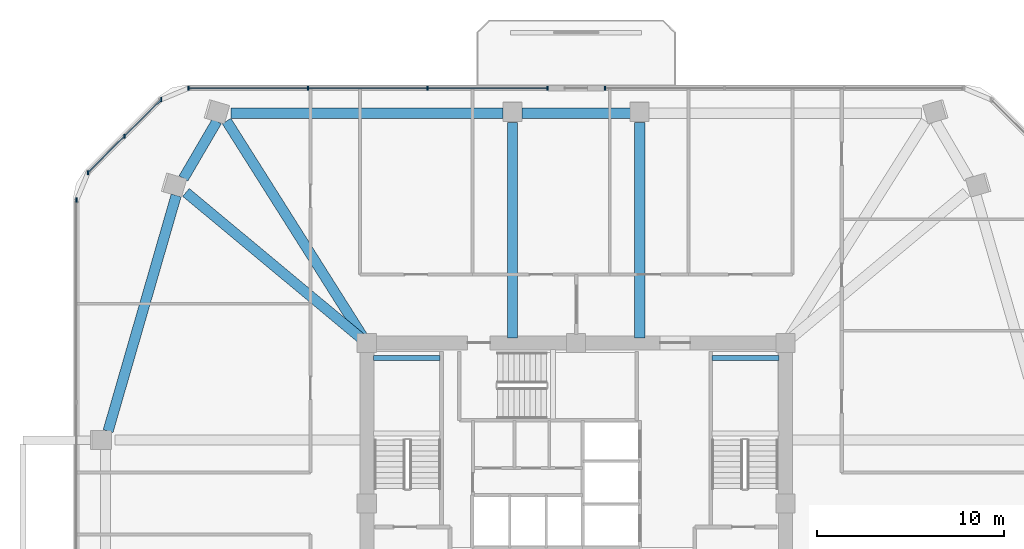
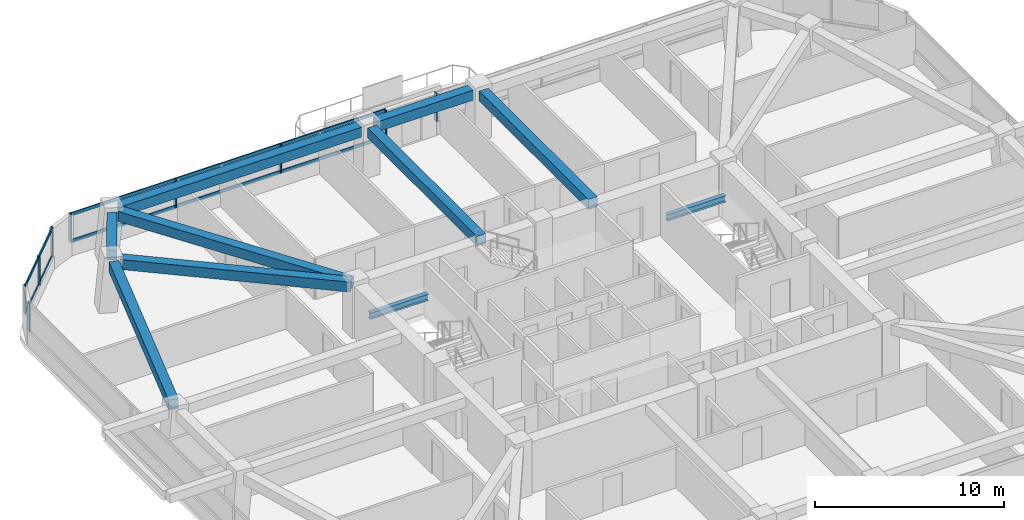
# One storey, part 5 of 13: 13 members, 10 beams, 4 elements without a shape of their own.
"""IFC4 building model written with IfcOpenShell, lengths in metres."""

import ifcopenshell
import ifcopenshell.guid

model = None  # the IFC model being written
_history = None  # IfcOwnerHistory: only IFC2X3 demands one
_inside = {}  # id of a spatial element -> (the spatial element, [elements in it])
_under = {}  # id of a project, library or spatial element -> (it, [spatial elements below it])
_declared = {}  # id of a project -> (the project, [libraries it declares])
_typed = {}  # id of a type object -> (the type object, [elements of that type])
_made_of = {}  # id of a material, layer set ... -> (it, [elements and type objects made of it])


def new_model(schema):
    """Start an empty IFC model of exactly this schema.

    Asked for "IFC4X3", IfcOpenShell would pick the latest addendum, in which some entities
    have other attributes; the version numbers below select the first issue.
    IFC2X3 requires an IfcOwnerHistory on every rooted entity: one is made here for all.
    """
    global model, _history
    if schema == "IFC4X3":
        model = ifcopenshell.file(schema_version=(4, 3, 0, 0))
    else:
        model = ifcopenshell.file(schema=schema)
    _inside.clear()
    _under.clear()
    _declared.clear()
    _typed.clear()
    _made_of.clear()
    _history = None
    if model.schema == "IFC2X3":
        org = make("IfcOrganization", Name="unknown")
        user = make(
            "IfcPersonAndOrganization",
            ThePerson=make("IfcPerson", FamilyName="unknown"),
            TheOrganization=org,
        )
        app = make(
            "IfcApplication",
            ApplicationDeveloper=org,
            Version="unknown",
            ApplicationFullName="unknown",
            ApplicationIdentifier="unknown",
        )
        _history = make(
            "IfcOwnerHistory",
            OwningUser=user,
            OwningApplication=app,
            ChangeAction="ADDED",
            CreationDate=0,
        )
    return model


def make(cls, **values):
    """One entity of the class cls with the attributes given. An attribute that is None is left unset."""
    return model.create_entity(
        cls, **{name: value for name, value in values.items() if value is not None}
    )


def rooted(cls, **values):
    """An entity with a GlobalId (a new one), such as an element, a storey or a relation."""
    return make(cls, GlobalId=ifcopenshell.guid.new(), OwnerHistory=_history, **values)


def si_unit(unit_type, name, prefix=None):
    """IfcSIUnit, for example si_unit("LENGTHUNIT", "METRE", prefix="MILLI")."""
    return make("IfcSIUnit", UnitType=unit_type, Prefix=prefix, Name=name)


def derived_unit(unit_type, elements):
    """IfcDerivedUnit: a product of units, each with its exponent."""
    return make(
        "IfcDerivedUnit",
        Elements=[
            make("IfcDerivedUnitElement", Unit=unit, Exponent=power)
            for unit, power in elements
        ],
        UnitType=unit_type,
    )


def assignment(units):
    """IfcUnitAssignment: the units of a project."""
    return None if units is None else make("IfcUnitAssignment", Units=units)


def point(xyz):
    """IfcCartesianPoint."""
    return None if xyz is None else make("IfcCartesianPoint", Coordinates=xyz)


def direction(xyz):
    """IfcDirection."""
    return None if xyz is None else make("IfcDirection", DirectionRatios=xyz)


def frame(location, z_axis=None, x_axis=None):
    """IfcAxis2Placement3D, a coordinate frame: its origin and axes. An axis left out is left unset."""
    return make(
        "IfcAxis2Placement3D",
        Location=point(location),
        Axis=direction(z_axis),
        RefDirection=direction(x_axis),
    )


def frame_2d(location, x_axis=None):
    """IfcAxis2Placement2D, a coordinate frame in the plane: its origin and x axis."""
    return make(
        "IfcAxis2Placement2D", Location=point(location), RefDirection=direction(x_axis)
    )


def origin():
    """The frame at (0, 0, 0) with its axes left unset."""
    return frame((0.0, 0.0, 0.0))


def origin_2d():
    """The frame at (0, 0) in the plane with its x axis left unset."""
    return frame_2d((0.0, 0.0))


def place(relative_to, where):
    """IfcLocalPlacement: puts the frame where relative to a parent placement (None: the world)."""
    return make(
        "IfcLocalPlacement", PlacementRelTo=relative_to, RelativePlacement=where
    )


def context(
    kind, dimensions, precision=None, world=None, true_north=None, identifier=None
):
    """IfcGeometricRepresentationContext, for example the 3D "Model" context."""
    return make(
        "IfcGeometricRepresentationContext",
        ContextIdentifier=identifier,
        ContextType=kind,
        CoordinateSpaceDimension=dimensions,
        Precision=precision,
        WorldCoordinateSystem=world,
        TrueNorth=true_north,
    )


def subcontext(parent, identifier, kind, view, scale=None):
    """IfcGeometricRepresentationSubContext, for example "Body" below "Model"."""
    return make(
        "IfcGeometricRepresentationSubContext",
        ContextIdentifier=identifier,
        ContextType=kind,
        ParentContext=parent,
        TargetScale=scale,
        TargetView=view,
    )


def project(units=None, contexts=None):
    """IfcProject with its units and contexts."""
    return rooted(
        "IfcProject",
        Name="project",
        RepresentationContexts=contexts,
        UnitsInContext=assignment(units),
    )


def spatial(cls, under=None, at=None, **own):
    """A site, building, storey or space (cls), placed at a placement, below another one or the project."""
    s = rooted(cls, ObjectPlacement=at, **own)
    if under is not None:
        _under.setdefault(under.id(), (under, []))[1].append(s)
    return s


def profile(cls, at=None, kind="AREA", **sizes):
    """A parametric profile (cls). Its sizes go by their IFC names, for example OverallWidth=200.0."""
    return make(cls, ProfileType=kind, Position=at, **sizes)


def rectangle(**sizes):
    """IfcRectangleProfileDef."""
    return profile("IfcRectangleProfileDef", **sizes)


def i_section(**sizes):
    """IfcIShapeProfileDef."""
    return profile("IfcIShapeProfileDef", **sizes)


def extrude(swept, where, along, depth):
    """IfcExtrudedAreaSolid: the profile swept, set in the frame where, extruded along a direction by depth."""
    return make(
        "IfcExtrudedAreaSolid",
        SweptArea=swept,
        Position=where,
        ExtrudedDirection=direction(along),
        Depth=depth,
    )


def shape(context_of_items, identifier, shape_type, items):
    """IfcShapeRepresentation: the items that make up one representation, for example the "Body"."""
    return make(
        "IfcShapeRepresentation",
        ContextOfItems=context_of_items,
        RepresentationIdentifier=identifier,
        RepresentationType=shape_type,
        Items=items,
    )


def material(Name=None, Category=None):
    """IfcMaterial."""
    return make("IfcMaterial", Name=Name, Category=Category)


def material_profile(
    of_material, cross_section, Name=None, Category=None, Priority=None
):
    """IfcMaterialProfile: a cross section and its material."""
    return make(
        "IfcMaterialProfile",
        Name=Name,
        Material=of_material,
        Profile=cross_section,
        Priority=Priority,
        Category=Category,
    )


def profile_set(profiles, Name=None, composite=None):
    """IfcMaterialProfileSet."""
    return make(
        "IfcMaterialProfileSet",
        Name=Name,
        MaterialProfiles=profiles,
        CompositeProfile=composite,
    )


def made_of(thing, what):
    """Note that an element or type object is made of a material, layer set ...; save() writes the relation."""
    if what is not None:
        _made_of.setdefault(what.id(), (what, []))[1].append(thing)
    return thing


def type_object(cls, material=None, **own):
    """A type object (cls), such as IfcWallType, which elements share."""
    return made_of(rooted(cls, **own), material)


def element(
    cls,
    number,
    at=None,
    inside=None,
    cuts=None,
    type_object=None,
    material=None,
    context=None,
    identifier="Body",
    shape_type=None,
    held_by="IfcProductDefinitionShape",
    body=None,
    shapes=None,
    **own,
):
    """One element of the class cls, such as IfcWall. Its Tag is "e" and its number.

    at: its placement. inside: the storey or other place that contains it. cuts: it is an
    opening in that element (IfcRelVoidsElement). A single representation is given by context,
    identifier, shape_type and body (its items); several are given by shapes. held_by: the class
    of the entity that holds the representations. save() writes the other relations.
    """
    e = rooted(cls, Tag="e%d" % number, ObjectPlacement=at, **own)
    if body is not None:
        shapes = [shape(context, identifier, shape_type, body)]
    if shapes is not None:
        e.Representation = make(held_by, Representations=shapes)
    if inside is not None:
        _inside.setdefault(inside.id(), (inside, []))[1].append(e)
    if cuts is not None:
        rooted(
            "IfcRelVoidsElement", RelatingBuildingElement=cuts, RelatedOpeningElement=e
        )
    if type_object is not None:
        _typed.setdefault(type_object.id(), (type_object, []))[1].append(e)
    return made_of(e, material)


def aggregate(whole, parts):
    """IfcRelAggregates: a whole, such as a stair, and the parts it consists of."""
    return rooted("IfcRelAggregates", RelatingObject=whole, RelatedObjects=parts)


def save(model, path):
    """Write the relations noted so far, then the file.

    IfcRelAggregates (storeys below a building ...), IfcRelContainedInSpatialStructure (elements
    in a storey), IfcRelDefinesByType, IfcRelAssociatesMaterial and IfcRelDeclares: one each for
    every whole, place, type object, material and project.
    """
    for whole, parts in _under.values():
        aggregate(whole, parts)
    for where, things in _inside.values():
        rooted(
            "IfcRelContainedInSpatialStructure",
            RelatedElements=things,
            RelatingStructure=where,
        )
    for kind, things in _typed.values():
        rooted("IfcRelDefinesByType", RelatedObjects=things, RelatingType=kind)
    for what, things in _made_of.values():
        rooted("IfcRelAssociatesMaterial", RelatedObjects=things, RelatingMaterial=what)
    for by, libraries in _declared.values():
        rooted("IfcRelDeclares", RelatingContext=by, RelatedDefinitions=libraries)
    model.write(path)


model = new_model("IFC4")

# Units and contexts
model_context = context("Model", 3, precision=1e-05, world=origin(), true_north=direction((0.0, 1.0)))
body_context = subcontext(model_context, "Body", "Model", "MODEL_VIEW")
ifc_project = project(units=[si_unit("LENGTHUNIT", "METRE"), si_unit("AREAUNIT", "SQUARE_METRE"), si_unit("VOLUMEUNIT", "CUBIC_METRE"), si_unit("PLANEANGLEUNIT", "RADIAN"), si_unit("MASSUNIT", "GRAM", prefix="KILO"), derived_unit("THERMALTRANSMITTANCEUNIT", [(si_unit("POWERUNIT", "WATT"), 1), (si_unit("LENGTHUNIT", "METRE"), -2), (si_unit("THERMODYNAMICTEMPERATUREUNIT", "KELVIN"), -1)])], contexts=[model_context])

# Site, building, storey
site_placement = place(None, origin())
site = spatial("IfcSite", under=ifc_project, at=site_placement, CompositionType="ELEMENT")
building_placement = place(site_placement, origin())
building = spatial("IfcBuilding", under=site, at=building_placement, Name="Koralith Skygarden Medical Center", CompositionType="ELEMENT")
storey_placement = place(building_placement, frame((0.0, 0.0, 88.3798828125)))
storey = spatial("IfcBuildingStorey", under=building, at=storey_placement, Name="L22", CompositionType="ELEMENT", Elevation=88.3798828125)

# Curtain wall, member
ifc_material_1 = material(Name="Clear Laminated Glass", Category="glass")
curtain_wall_type = type_object("IfcCurtainWallType", Name="CW-3 Zone 2 Faceted Solar Curtain Wall", PredefinedType="NOTDEFINED", material=ifc_material_1)
curtain_wall_1_placement = place(storey_placement, origin())
curtain_wall_1 = element("IfcCurtainWall", 1, at=curtain_wall_1_placement, inside=storey, type_object=curtain_wall_type, Name="Curtain Wall CW-L22-N-L", PredefinedType="NOTDEFINED")
ifc_material_2 = material(Name="Aluminium 6063-T6", Category="aluminium")
ifc_material_profile_1 = material_profile(ifc_material_2, rectangle(XDim=0.073974609375, YDim=0.219970703125, at=origin_2d()), Name="MUL74X220")
ifc_profile_set_1 = profile_set([ifc_material_profile_1], Name="Aluminium 6063-T6")
member_type_1 = type_object("IfcMemberType", Name="CW-3 Extruded Mullion 74x220", PredefinedType="MULLION", material=ifc_profile_set_1)
member_1_placement = place(storey_placement, frame((38.541015625, 48.1201171875, 0.85009765625), z_axis=(0.0, 0.0, 1.0), x_axis=(1.0, 0.0, 0.0)))
member_1 = element("IfcMember", 2, at=member_1_placement, type_object=member_type_1, Name="CW-L22-N-L Mullion 4", PredefinedType="MULLION", context=body_context, shape_type="SweptSolid", body=[
    extrude(rectangle(XDim=0.073974609375, YDim=0.219970703125, at=origin_2d()), origin(), (0.0, 0.0, 1.0), 1.820068359375),
])
aggregate(curtain_wall_1, [member_1])

# Curtain wall, members
curtain_wall_2_placement = place(storey_placement, origin())
curtain_wall_2 = element("IfcCurtainWall", 3, at=curtain_wall_2_placement, inside=storey, type_object=curtain_wall_type, Name="Curtain Wall CW-L22-N-R", PredefinedType="NOTDEFINED")
member_2_placement = place(storey_placement, frame((35.4609375, 48.1201171875, 0.85009765625), z_axis=(0.0, 0.0, 1.0), x_axis=(1.0, 0.0, 0.0)))
member_2 = element("IfcMember", 4, at=member_2_placement, type_object=member_type_1, Name="CW-L22-N-R Mullion 1", PredefinedType="MULLION", context=body_context, shape_type="SweptSolid", body=[
    extrude(rectangle(XDim=0.073974609375, YDim=0.219970703125, at=origin_2d()), origin(), (0.0, 0.0, 1.0), 1.820068359375),
])
member_3_placement = place(storey_placement, frame((29.05908203125, 48.1201171875, 0.85009765625), z_axis=(0.0, 0.0, 1.0), x_axis=(1.0, 0.0, 0.0)))
member_3 = element("IfcMember", 5, at=member_3_placement, type_object=member_type_1, Name="CW-L22-N-R Mullion 2", PredefinedType="MULLION", context=body_context, shape_type="SweptSolid", body=[
    extrude(rectangle(XDim=0.073974609375, YDim=0.219970703125, at=origin_2d()), origin(), (0.0, 0.0, 1.0), 1.820068359375),
])
member_4_placement = place(storey_placement, frame((22.656982421875, 48.1201171875, 0.85009765625), z_axis=(0.0, 0.0, 1.0), x_axis=(1.0, 0.0, 0.0)))
member_4 = element("IfcMember", 6, at=member_4_placement, type_object=member_type_1, Name="CW-L22-N-R Mullion 3", PredefinedType="MULLION", context=body_context, shape_type="SweptSolid", body=[
    extrude(rectangle(XDim=0.073974609375, YDim=0.219970703125, at=origin_2d()), origin(), (0.0, 0.0, 1.0), 1.820068359375),
])
member_5_placement = place(storey_placement, frame((16.2548828125, 48.1201171875, 0.85009765625), z_axis=(0.0, 0.0, 1.0), x_axis=(1.0, 0.0, 0.0)))
member_5 = element("IfcMember", 7, at=member_5_placement, type_object=member_type_1, Name="CW-L22-N-R Mullion 4", PredefinedType="MULLION", context=body_context, shape_type="SweptSolid", body=[
    extrude(rectangle(XDim=0.073974609375, YDim=0.219970703125, at=origin_2d()), origin(), (0.0, 0.0, 1.0), 1.820068359375),
])

curtain_wall_3_placement = place(storey_placement, origin())
curtain_wall_3 = element("IfcCurtainWall", 8, at=curtain_wall_3_placement, inside=storey, type_object=curtain_wall_type, Name="Curtain Wall CW-L22-NW", PredefinedType="NOTDEFINED")
member_6_placement = place(storey_placement, frame((14.803955078125, 47.51904296875, 0.85009765625), z_axis=(0.0, 0.0, 1.0), x_axis=(1.0, 0.0, 0.0)))
member_6 = element("IfcMember", 9, at=member_6_placement, type_object=member_type_1, Name="CW-L22-NW Mullion 1", PredefinedType="MULLION", context=body_context, shape_type="SweptSolid", body=[
    extrude(rectangle(XDim=0.073974609375, YDim=0.219970703125, at=origin_2d()), origin(), (0.0, 0.0, 1.0), 1.820068359375),
])
member_7_placement = place(storey_placement, frame((12.843017578125, 45.556884765625, 0.85009765625), z_axis=(0.0, 0.0, 1.0), x_axis=(1.0, 0.0, 0.0)))
member_7 = element("IfcMember", 10, at=member_7_placement, type_object=member_type_1, Name="CW-L22-NW Mullion 2", PredefinedType="MULLION", context=body_context, shape_type="SweptSolid", body=[
    extrude(rectangle(XDim=0.073974609375, YDim=0.219970703125, at=origin_2d()), origin(), (0.0, 0.0, 1.0), 1.820068359375),
])
member_8_placement = place(storey_placement, frame((10.881103515625, 43.595947265625, 0.85009765625), z_axis=(0.0, 0.0, 1.0), x_axis=(1.0, 0.0, 0.0)))
member_8 = element("IfcMember", 11, at=member_8_placement, type_object=member_type_1, Name="CW-L22-NW Mullion 3", PredefinedType="MULLION", context=body_context, shape_type="SweptSolid", body=[
    extrude(rectangle(XDim=0.073974609375, YDim=0.219970703125, at=origin_2d()), origin(), (0.0, 0.0, 1.0), 1.820068359375),
])

# Curtain wall, member
curtain_wall_4_placement = place(storey_placement, origin())
curtain_wall_4 = element("IfcCurtainWall", 12, at=curtain_wall_4_placement, inside=storey, type_object=curtain_wall_type, Name="Curtain Wall CW-L22-W", PredefinedType="NOTDEFINED")
member_9_placement = place(storey_placement, frame((10.280029296875, 42.14501953125, 0.85009765625), z_axis=(0.0, 0.0, 1.0), x_axis=(1.0, 0.0, 0.0)))
member_9 = element("IfcMember", 13, at=member_9_placement, type_object=member_type_1, Name="CW-L22-W Mullion 1", PredefinedType="MULLION", context=body_context, shape_type="SweptSolid", body=[
    extrude(rectangle(XDim=0.073974609375, YDim=0.219970703125, at=origin_2d()), origin(), (0.0, 0.0, 1.0), 1.820068359375),
])
aggregate(curtain_wall_4, [member_9])

# Member
ifc_material_profile_2 = material_profile(ifc_material_2, rectangle(XDim=0.069091796875, YDim=0.197998046875, at=origin_2d()), Name="TRN69X198")
ifc_profile_set_2 = profile_set([ifc_material_profile_2], Name="Aluminium 6063-T6")
member_type_2 = type_object("IfcMemberType", Name="CW-3 Thermal Transom 69x198", PredefinedType="USERDEFINED", material=ifc_profile_set_2)
member_10_placement = place(storey_placement, frame((35.4609375, 48.1201171875, 0.900146484375), z_axis=(-1.0, 0.0, 0.0), x_axis=(0.0, -1.0, 0.0)))
member_10 = element("IfcMember", 14, at=member_10_placement, type_object=member_type_2, Name="CW-L22-N-R Transom 1", ObjectType="TRANSOM", PredefinedType="USERDEFINED", context=body_context, shape_type="SweptSolid", body=[
    extrude(rectangle(XDim=0.069091796875, YDim=0.197998046875, at=origin_2d()), origin(), (0.0, 0.0, 1.0), 19.2060546875),
])

member_11_placement = place(storey_placement, frame((35.4609375, 48.1201171875, 2.6201171875), z_axis=(-1.0, 0.0, 0.0), x_axis=(0.0, -1.0, 0.0)))
member_11 = element("IfcMember", 15, at=member_11_placement, type_object=member_type_2, Name="CW-L22-N-R Transom 2", ObjectType="TRANSOM", PredefinedType="USERDEFINED", context=body_context, shape_type="SweptSolid", body=[
    extrude(rectangle(XDim=0.069091796875, YDim=0.197998046875, at=origin_2d()), origin(), (0.0, 0.0, 1.0), 19.2060546875),
])

aggregate(curtain_wall_2, [member_2, member_3, member_4, member_5, member_10, member_11])

member_12_placement = place(storey_placement, frame((14.803955078125, 47.51904296875, 0.900146484375), z_axis=(-0.707084777957, -0.707128783731, 0.0), x_axis=(0.707128783731, -0.707084777957, 0.0)))
member_12 = element("IfcMember", 16, at=member_12_placement, type_object=member_type_2, Name="CW-L22-NW Transom 1", ObjectType="TRANSOM", PredefinedType="USERDEFINED", context=body_context, shape_type="SweptSolid", body=[
    extrude(rectangle(XDim=0.069091796875, YDim=0.197998046875, at=origin_2d()), origin(), (0.0, 0.0, 1.0), 5.5478515625),
])

member_13_placement = place(storey_placement, frame((14.803955078125, 47.51904296875, 2.6201171875), z_axis=(-0.707084777957, -0.707128783731, 0.0), x_axis=(0.707128783731, -0.707084777957, 0.0)))
member_13 = element("IfcMember", 17, at=member_13_placement, type_object=member_type_2, Name="CW-L22-NW Transom 2", ObjectType="TRANSOM", PredefinedType="USERDEFINED", context=body_context, shape_type="SweptSolid", body=[
    extrude(rectangle(XDim=0.069091796875, YDim=0.197998046875, at=origin_2d()), origin(), (0.0, 0.0, 1.0), 5.5478515625),
])

aggregate(curtain_wall_3, [member_6, member_7, member_8, member_12, member_13])

# Beams
ifc_material_3 = material(Name="Steel ASTM A992 Grade 50", Category="steel")
ifc_material_profile_3 = material_profile(ifc_material_3, i_section(OverallWidth=0.260009765625, OverallDepth=0.4150390625, WebThickness=0.010009765625, FlangeThickness=0.016845703125, at=origin_2d()), Name="W16X67")
ifc_profile_set_3 = profile_set([ifc_material_profile_3], Name="Steel ASTM A992 Grade 50")
beam_type_1 = type_object("IfcBeamType", Name="Clinical Floor Joist W16X67", PredefinedType="JOIST", material=ifc_profile_set_3)
for number, where, z_axis, x_axis, name in (
    (18, (26.155029296875, 33.699951171875, 1.39306640625), (1.0, 0.0, 0.0), (0.0, 1.0, 0.0), "L22 Stair ST1 Half-Landing Support Beam 1B"),
    (19, (44.280029296875, 33.699951171875, 1.39306640625), (1.0, 0.0, 0.0), (0.0, 1.0, 0.0), "L22 Stair ST2 Half-Landing Support Beam 1B"),
):
    element("IfcBeam", number, at=place(storey_placement, frame(where, z_axis=z_axis, x_axis=x_axis)), inside=storey, type_object=beam_type_1, Name=name, PredefinedType="JOIST", context=body_context, shape_type="SweptSolid", body=[
        extrude(i_section(OverallWidth=0.260009765625, OverallDepth=0.4150390625, WebThickness=0.010009765625, FlangeThickness=0.016845703125, at=origin_2d()), origin(), (0.0, 0.0, 1.0), 3.56494140625),
    ])
ifc_material_4 = material(Name="Concrete C45/55", Category="concrete")
ifc_material_profile_4 = material_profile(ifc_material_4, rectangle(XDim=0.550048828125, YDim=0.639892578125, at=origin_2d()), Name="RCB550X640")
ifc_profile_set_4 = profile_set([ifc_material_profile_4], Name="Concrete C45/55")
beam_type_2 = type_object("IfcBeamType", Name="Radial Collector Beam RCB550X640", PredefinedType="BEAM", material=ifc_profile_set_4)
for number, where, z_axis, x_axis, name in (
    (20, (40.39990234375, 34.75, 3.0), (0.0, 1.0, 0.0), (-1.0, 0.0, 0.0), "L22 Radial Collector Beam RB-12"),
    (21, (33.60009765625, 34.75, 3.0), (0.0, 1.0, 0.0), (-1.0, 0.0, 0.0), "L22 Radial Collector Beam RB-13"),
):
    element("IfcBeam", number, at=place(storey_placement, frame(where, z_axis=z_axis, x_axis=x_axis)), inside=storey, type_object=beam_type_2, Name=name, PredefinedType="BEAM", context=body_context, shape_type="SweptSolid", body=[
        extrude(rectangle(XDim=0.550048828125, YDim=0.639892578125, at=origin_2d()), origin(), (0.0, 0.0, 1.0), 11.541015625),
    ])
beam_1_placement = place(storey_placement, frame((25.666015625, 34.7109375, 3.0), z_axis=(-0.53413221169, 0.845400958383, 0.0), x_axis=(-0.845400958383, -0.53413221169, 0.0)))
element("IfcBeam", 22, at=beam_1_placement, inside=storey, type_object=beam_type_2, Name="L22 Radial Collector Beam RB-14", PredefinedType="BEAM", context=body_context, shape_type="SweptSolid", body=[
    extrude(rectangle(XDim=0.550048828125, YDim=0.639892578125, at=origin_2d()), origin(), (0.0, 0.0, 1.0), 13.788818359375),
])
beam_2_placement = place(storey_placement, frame((25.60791015625, 34.659912109375, 3.0), z_axis=(-0.768607248476, 0.639720952908, 0.0), x_axis=(-0.639720952908, -0.768607248476, 0.0)))
element("IfcBeam", 23, at=beam_2_placement, inside=storey, type_object=beam_type_2, Name="L22 Radial Collector Beam RB-15", PredefinedType="BEAM", context=body_context, shape_type="SweptSolid", body=[
    extrude(rectangle(XDim=0.550048828125, YDim=0.639892578125, at=origin_2d()), origin(), (0.0, 0.0, 1.0), 12.335205078125),
])
ifc_material_profile_5 = material_profile(ifc_material_4, rectangle(XDim=0.550048828125, YDim=0.639892578125, at=origin_2d()), Name="RCB550X640")
ifc_profile_set_5 = profile_set([ifc_material_profile_5], Name="Concrete C45/55")
beam_type_3 = type_object("IfcBeamType", Name="Zone 2-3 Spandrel Beam RCB550X640", PredefinedType="SPANDREL", material=ifc_profile_set_5)
beam_3_placement = place(storey_placement, frame((39.89990234375, 46.791015625, 3.0), z_axis=(-1.0, 0.0, 0.0), x_axis=(0.0, -1.0, 0.0)))
element("IfcBeam", 24, at=beam_3_placement, inside=storey, type_object=beam_type_3, Name="L22 Perimeter Spandrel Beam SP-12", PredefinedType="SPANDREL", context=body_context, shape_type="SweptSolid", body=[
    extrude(rectangle(XDim=0.550048828125, YDim=0.639892578125, at=origin_2d()), origin(), (0.0, 0.0, 1.0), 5.7998046875),
])
beam_4_placement = place(storey_placement, frame((33.10009765625, 46.791015625, 3.0), z_axis=(-1.0, 0.0, 0.0), x_axis=(0.0, -1.0, 0.0)))
element("IfcBeam", 25, at=beam_4_placement, inside=storey, type_object=beam_type_3, Name="L22 Perimeter Spandrel Beam SP-13", PredefinedType="SPANDREL", context=body_context, shape_type="SweptSolid", body=[
    extrude(rectangle(XDim=0.550048828125, YDim=0.639892578125, at=origin_2d()), origin(), (0.0, 0.0, 1.0), 14.566162109375),
])
beam_5_placement = place(storey_placement, frame((17.781982421875, 46.35888671875, 3.0), z_axis=(-0.504766963518, -0.863255647268, 0.0), x_axis=(0.863255647268, -0.504766963518, 0.0)))
element("IfcBeam", 26, at=beam_5_placement, inside=storey, type_object=beam_type_3, Name="L22 Perimeter Spandrel Beam SP-14", PredefinedType="SPANDREL", context=body_context, shape_type="SweptSolid", body=[
    extrude(rectangle(XDim=0.550048828125, YDim=0.639892578125, at=origin_2d()), origin(), (0.0, 0.0, 1.0), 3.5400390625),
])
beam_6_placement = place(storey_placement, frame((15.60400390625, 42.39111328125, 3.0), z_axis=(-0.277530116088, -0.960716937846, 0.0), x_axis=(0.960716937846, -0.277530116088, 0.0)))
element("IfcBeam", 27, at=beam_6_placement, inside=storey, type_object=beam_type_3, Name="L22 Perimeter Spandrel Beam SP-15", PredefinedType="SPANDREL", context=body_context, shape_type="SweptSolid", body=[
    extrude(rectangle(XDim=0.550048828125, YDim=0.639892578125, at=origin_2d()), origin(), (0.0, 0.0, 1.0), 13.126708984375),
])

save(model, "model.ifc")
